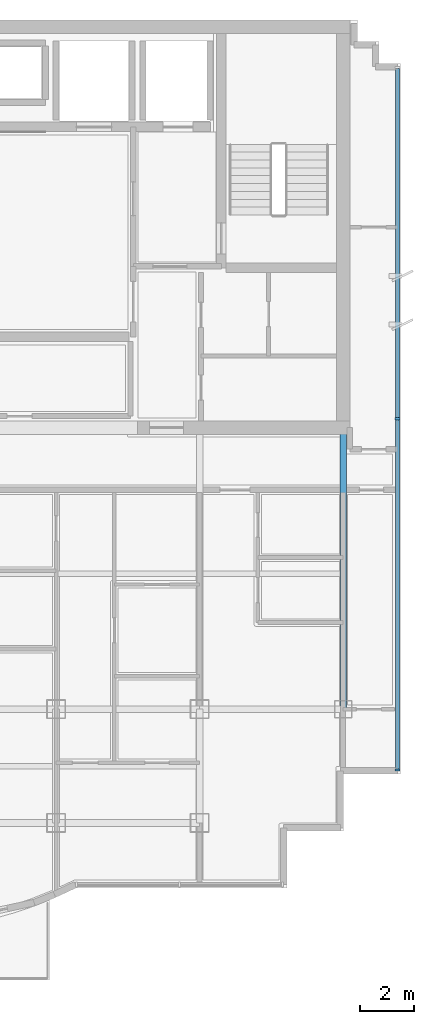
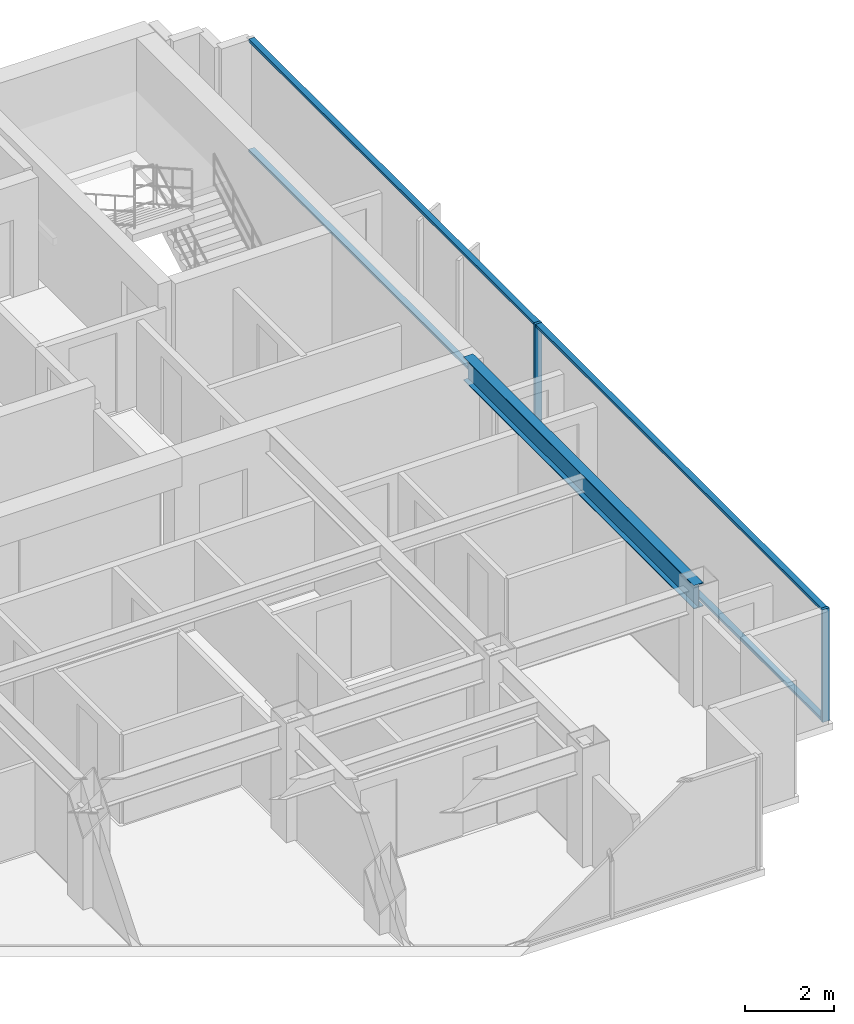
# One storey, part 3 of 11: 6 members, 1 beam, 1 element without a shape of its own.
"""IFC4 building model written with IfcOpenShell, lengths in metres."""

from ifc_helpers import new_model, si_unit, direction, frame, origin, origin_2d, place, context, subcontext, project, spatial, rectangle, i_section, extrude, source, transform, mapped, material, layer, layer_set, material_profile, profile_set, type_object, element, aggregate, save


model = new_model("IFC4")

# Units and contexts
model_context = context("Model", 3, precision=1e-05, world=origin(), true_north=direction((0.0, 1.0)))
body_context = subcontext(model_context, "Body", "Model", "MODEL_VIEW")
ifc_project = project(units=[si_unit("LENGTHUNIT", "METRE"), si_unit("AREAUNIT", "SQUARE_METRE"), si_unit("VOLUMEUNIT", "CUBIC_METRE"), si_unit("PLANEANGLEUNIT", "RADIAN"), si_unit("MASSUNIT", "GRAM", prefix="KILO")], contexts=[model_context])

# Site, building, storey
site_placement = place(None, origin())
site = spatial("IfcSite", under=ifc_project, at=site_placement, CompositionType="ELEMENT")
building_placement = place(site_placement, origin())
building = spatial("IfcBuilding", under=site, at=building_placement, Name="Qianlan Lanfeng Residences", CompositionType="ELEMENT")
storey_placement = place(building_placement, frame((0.0, 0.0, 256.10009765625)))
storey = spatial("IfcBuildingStorey", under=building, at=storey_placement, Name="L71", CompositionType="ELEMENT", Elevation=256.10009765625)

# Beam
ifc_material_1 = material(Name="Steel SN490B", Category="steel")
ifc_material_profile_1 = material_profile(ifc_material_1, i_section(OverallWidth=0.25, OverallDepth=0.64990234375, WebThickness=0.012939453125, FlangeThickness=0.02197265625, at=origin_2d()), Name="H 650x250x13x22")
ifc_profile_set_1 = profile_set([ifc_material_profile_1], Name="Steel SN490B")
beam_type = type_object("IfcBeamType", Name="G-650", PredefinedType="BEAM", material=ifc_profile_set_1)
beam_placement = place(storey_placement, frame((42.39990234375, 14.800048828125, 2.784912109375), z_axis=(0.0, 1.0, 0.0), x_axis=(-1.0, 0.0, 0.0)))
element("IfcBeam", 1, at=beam_placement, inside=storey, type_object=beam_type, Name="Structural beam G-650", PredefinedType="BEAM", context=body_context, shape_type="SweptSolid", body=[
    extrude(i_section(OverallWidth=0.25, OverallDepth=0.64990234375, WebThickness=0.012939453125, FlangeThickness=0.02197265625, at=origin_2d()), origin(), (0.0, 0.0, 1.0), 10.39990234375),
])

# Curtain wall, members
ifc_material_2 = material(Name="Anodised Bronze Aluminium 6063-T6", Category="aluminium")
ifc_layer = layer(ifc_material_2, 0.219970703125)
ifc_layer_set = layer_set([ifc_layer], Name="Anodised Bronze Aluminium 6063-T6")
curtain_wall_type = type_object("IfcCurtainWallType", Name="CW-06", PredefinedType="NOTDEFINED", material=ifc_layer_set)
curtain_wall_placement = place(storey_placement, origin())
curtain_wall = element("IfcCurtainWall", 2, at=curtain_wall_placement, inside=storey, type_object=curtain_wall_type, Name="L71 Unitised Curtain Wall CWR-L71-03 (CW-06)", PredefinedType="NOTDEFINED")
ifc_material_profile_2 = material_profile(ifc_material_2, rectangle(XDim=0.074951171875, YDim=0.179931640625, at=origin_2d()), Name="ALU MULLION 75x180")
ifc_profile_set_2 = profile_set([ifc_material_profile_2], Name="Anodised Bronze Aluminium 6063-T6")
member_type_1 = type_object("IfcMemberType", Name="CWM-180", PredefinedType="MULLION", material=ifc_profile_set_2)
shared_shape_1 = source(origin(), body_context, "Body", "SweptSolid", [
    extrude(rectangle(XDim=0.074951171875, YDim=0.179931640625, at=origin_2d()), origin(), (0.0, 0.0, 1.0), 3.10986328125),
])
member_1_placement = place(storey_placement, frame((44.39990234375, 12.5576171875, 0.0), z_axis=(0.0, 0.0, 1.0), x_axis=(0.0, 1.0, 0.0)))
member_1 = element("IfcMember", 3, at=member_1_placement, type_object=member_type_1, Name="CWR-L71-03 Mullion 1", PredefinedType="MULLION", context=body_context, shape_type="MappedRepresentation", body=[
    mapped(shared_shape_1, transform((0.0, 0.0, 0.0), scale=1.0)),
])
member_2_placement = place(storey_placement, frame((44.39990234375, 25.52490234375, 0.0), z_axis=(0.0, 0.0, 1.0), x_axis=(0.0, 1.0, 0.0)))
member_2 = element("IfcMember", 4, at=member_2_placement, type_object=member_type_1, Name="CWR-L71-03 Mullion 2", PredefinedType="MULLION", context=body_context, shape_type="MappedRepresentation", body=[
    mapped(shared_shape_1, transform((0.0, 0.0, 0.0), scale=1.0)),
])
ifc_material_profile_3 = material_profile(ifc_material_2, rectangle(XDim=0.074951171875, YDim=0.14990234375, at=origin_2d()), Name="ALU TRANSOM 75x150")
ifc_profile_set_3 = profile_set([ifc_material_profile_3], Name="Anodised Bronze Aluminium 6063-T6")
member_type_2 = type_object("IfcMemberType", Name="CWT-150", PredefinedType="USERDEFINED", material=ifc_profile_set_3)
shared_shape_2 = source(origin(), body_context, "Body", "SweptSolid", [
    extrude(rectangle(XDim=0.074951171875, YDim=0.14990234375, at=origin_2d()), origin(), (0.0, 0.0, 1.0), 12.892578125),
])
member_3_placement = place(storey_placement, frame((44.39990234375, 12.594970703125, 0.037353515625), z_axis=(0.0, 1.0, 0.0), x_axis=(0.0, 0.0, 1.0)))
member_3 = element("IfcMember", 5, at=member_3_placement, type_object=member_type_2, Name="CWR-L71-03 Transom 1-BOT", ObjectType="TRANSOM", PredefinedType="USERDEFINED", context=body_context, shape_type="MappedRepresentation", body=[
    mapped(shared_shape_2, transform((0.0, 0.0, 0.0), scale=1.0)),
])
member_4_placement = place(storey_placement, frame((44.39990234375, 12.594970703125, 3.072509765625), z_axis=(0.0, 1.0, 0.0), x_axis=(0.0, 0.0, 1.0)))
member_4 = element("IfcMember", 6, at=member_4_placement, type_object=member_type_2, Name="CWR-L71-03 Transom 1-TOP", ObjectType="TRANSOM", PredefinedType="USERDEFINED", context=body_context, shape_type="MappedRepresentation", body=[
    mapped(shared_shape_2, transform((0.0, 0.0, 0.0), scale=1.0)),
])
member_5_placement = place(storey_placement, frame((44.39990234375, 25.5625, 0.037353515625), z_axis=(0.0, 1.0, 0.0), x_axis=(0.0, 0.0, 1.0)))
member_5 = element("IfcMember", 7, at=member_5_placement, type_object=member_type_2, Name="CWR-L71-03 Transom 2-BOT", ObjectType="TRANSOM", PredefinedType="USERDEFINED", context=body_context, shape_type="MappedRepresentation", body=[
    mapped(shared_shape_2, transform((0.0, 0.0, 0.0), scale=1.0)),
])
member_6_placement = place(storey_placement, frame((44.39990234375, 25.5625, 3.072509765625), z_axis=(0.0, 1.0, 0.0), x_axis=(0.0, 0.0, 1.0)))
member_6 = element("IfcMember", 8, at=member_6_placement, type_object=member_type_2, Name="CWR-L71-03 Transom 2-TOP", ObjectType="TRANSOM", PredefinedType="USERDEFINED", context=body_context, shape_type="MappedRepresentation", body=[
    mapped(shared_shape_2, transform((0.0, 0.0, 0.0), scale=1.0)),
])
aggregate(curtain_wall, [member_1, member_2, member_3, member_4, member_5, member_6])

save(model, "model.ifc")
